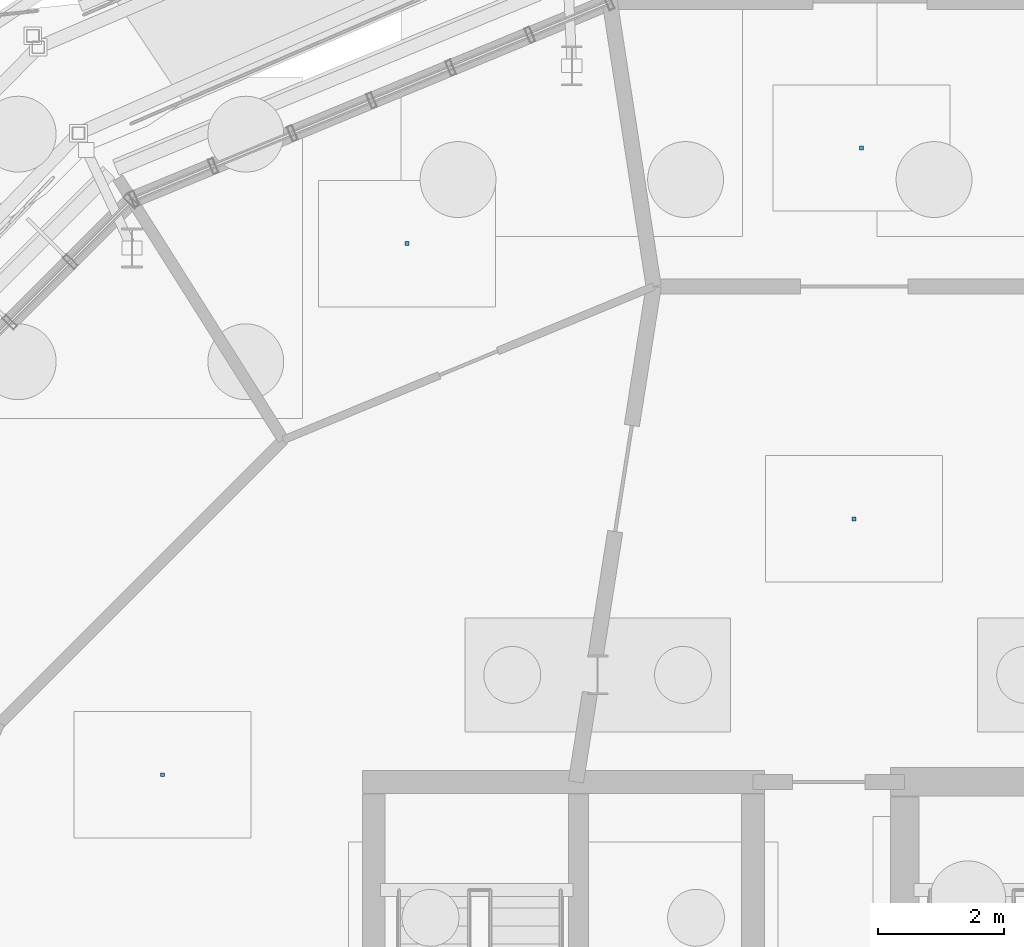
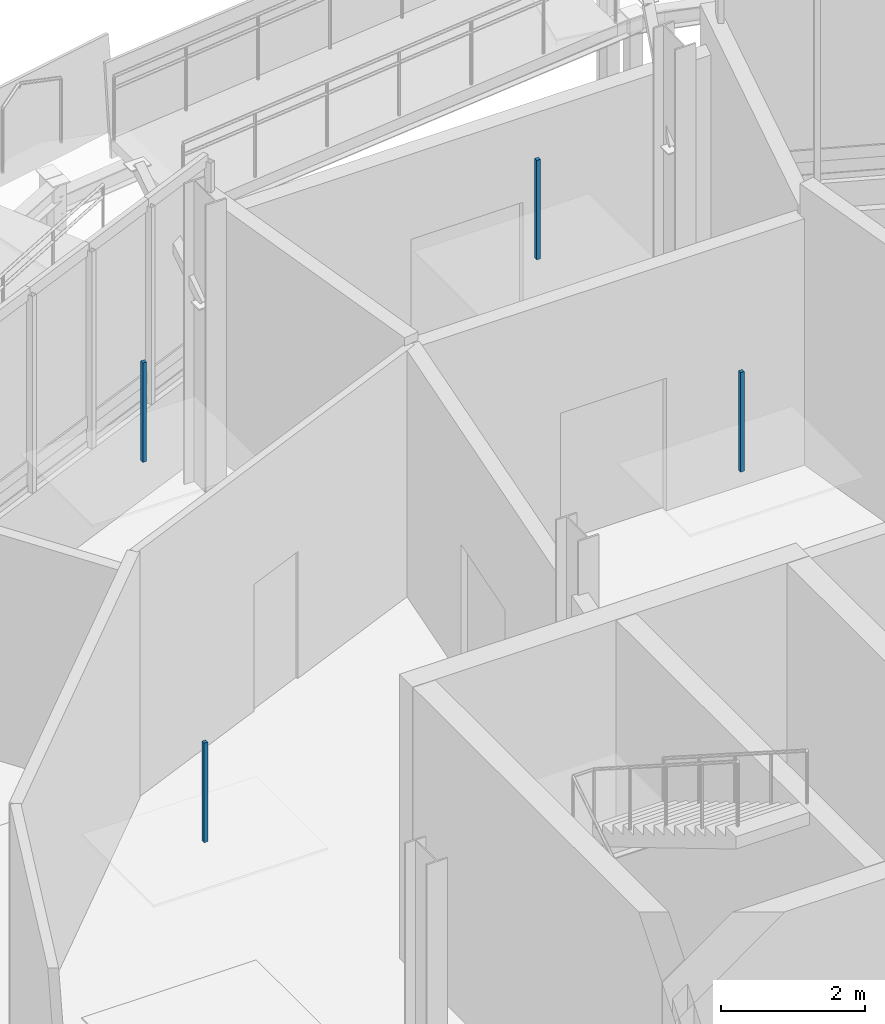
# One storey, part 101 of 119: 4 discrete accessories.
"""IFC4 building model written with IfcOpenShell, lengths in metres."""

from ifc_helpers import new_model, si_unit, derived_unit, direction, frame, origin, origin_2d, place, context, subcontext, project, spatial, rectangle, extrude, material, layer, layer_set, type_object, element, save


model = new_model("IFC4")

# Units and contexts
model_context = context("Model", 3, precision=1e-05, world=origin(), true_north=direction((0.0, 1.0)))
body_context = subcontext(model_context, "Body", "Model", "MODEL_VIEW")
ifc_project = project(units=[si_unit("LENGTHUNIT", "METRE"), si_unit("AREAUNIT", "SQUARE_METRE"), si_unit("VOLUMEUNIT", "CUBIC_METRE"), si_unit("PLANEANGLEUNIT", "RADIAN"), si_unit("MASSUNIT", "GRAM", prefix="KILO"), derived_unit("THERMALTRANSMITTANCEUNIT", [(si_unit("MASSUNIT", "GRAM", prefix="KILO"), 1), (si_unit("TIMEUNIT", "SECOND"), -3), (si_unit("THERMODYNAMICTEMPERATUREUNIT", "KELVIN"), -1)])], contexts=[model_context])

# Site, building, storey
site_placement = place(None, origin())
site = spatial("IfcSite", under=ifc_project, at=site_placement, CompositionType="ELEMENT")
building_placement = place(site_placement, origin())
building = spatial("IfcBuilding", under=site, at=building_placement, Name="Makaiwela Harbour Ferry Terminal", CompositionType="ELEMENT")
storey_placement = place(building_placement, origin())
storey = spatial("IfcBuildingStorey", under=building, at=storey_placement, Name="L00", CompositionType="ELEMENT", Elevation=0.0)

# Discrete accessories
ifc_material = material(Name="Marine grade 316L brushed stainless steel", Category="steel")
ifc_layer = layer(ifc_material, 1.0)
ifc_layer_set = layer_set([ifc_layer], Name="Marine grade 316L brushed stainless steel")
discrete_accessory_type = type_object("IfcDiscreteAccessoryType", Name="INT-ACC-HNG", PredefinedType="BRACKET", material=ifc_layer_set)
for number, where, z_axis, x_axis, name in (
    (1, (37.800048828125, 79.860107421875, 3.135009765625), (0.0, 0.0, 1.0), (1.0, 0.0, 0.0), "Ceiling Suspension Bracket HNG-002"),
    (2, (26.859375, 75.814697265625, 3.135009765625), (0.0, 0.0, 1.0), (1.0, 0.0, 0.0), "Ceiling Suspension Bracket HNG-003"),
    (3, (37.918212890625, 85.728515625, 3.135009765625), (0.0, 0.0, 1.0), (1.0, 0.0, 0.0), "Ceiling Suspension Bracket HNG-008"),
    (4, (30.726318359375, 84.2158203125, 3.135009765625), (0.0, 0.0, 1.0), (1.0, 0.0, 0.0), "Ceiling Suspension Bracket HNG-009"),
):
    element("IfcDiscreteAccessory", number, at=place(storey_placement, frame(where, z_axis=z_axis, x_axis=x_axis)), inside=storey, type_object=discrete_accessory_type, Name=name, PredefinedType="BRACKET", context=body_context, shape_type="SweptSolid", body=[
        extrude(rectangle(XDim=0.06005859375, YDim=0.06005859375, at=origin_2d()), origin(), (0.0, 0.0, 1.0), 1.68994140625),
    ])

save(model, "model.ifc")
